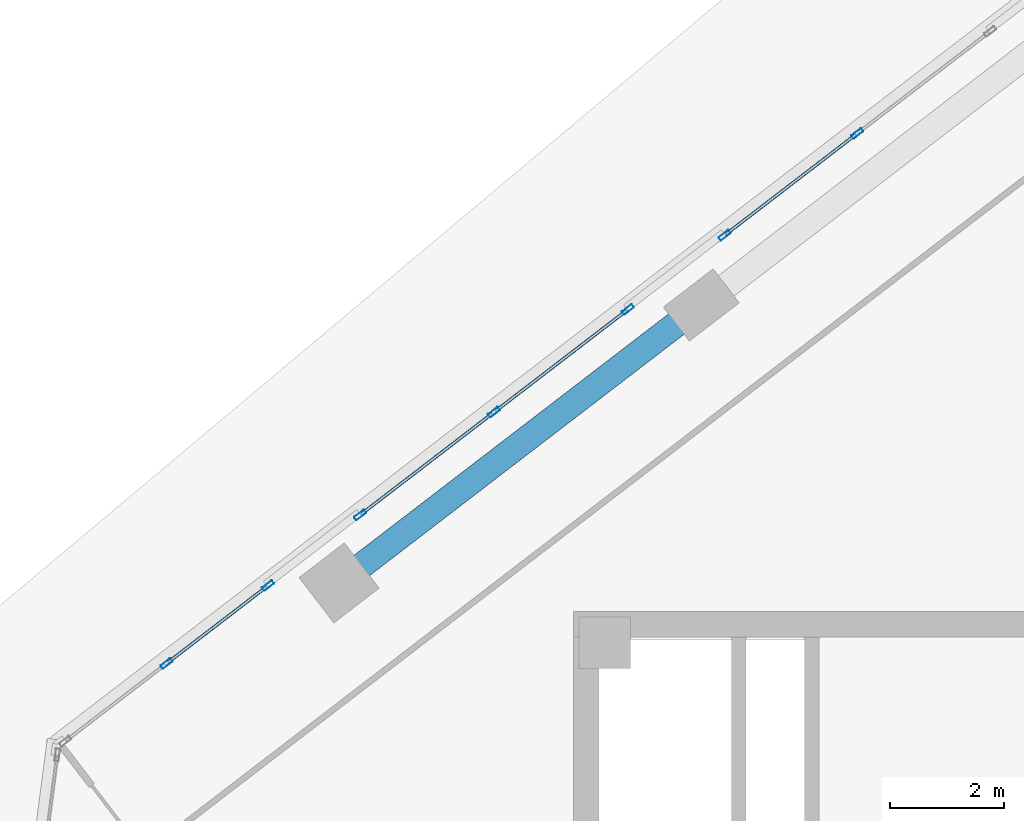
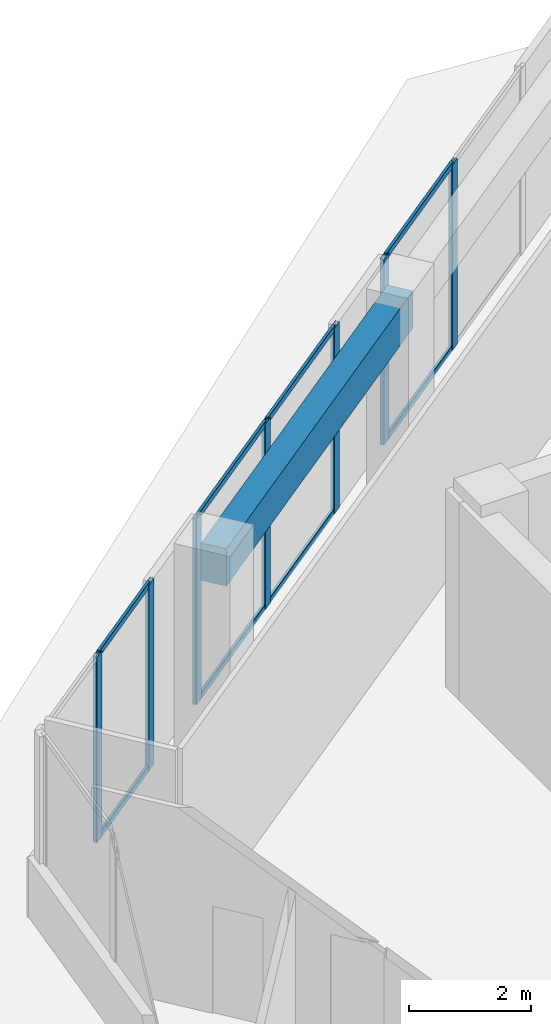
# One storey, part 8 of 17: 15 members, 1 beam, 3 elements without a shape of their own.
"""IFC4 building model written with IfcOpenShell, lengths in metres."""

from ifc_helpers import new_model, si_unit, direction, frame, origin, origin_2d, place, context, subcontext, project, spatial, rectangle, hollow_rectangle, extrude, source, transform, mapped, material, material_profile, profile_set, type_object, element, aggregate, save


model = new_model("IFC4")

# Units and contexts
model_context = context("Model", 3, precision=1e-05, world=origin(), true_north=direction((0.0, 1.0)))
body_context = subcontext(model_context, "Body", "Model", "MODEL_VIEW")
ifc_project = project(units=[si_unit("LENGTHUNIT", "METRE"), si_unit("AREAUNIT", "SQUARE_METRE"), si_unit("VOLUMEUNIT", "CUBIC_METRE"), si_unit("PLANEANGLEUNIT", "RADIAN"), si_unit("MASSUNIT", "GRAM", prefix="KILO")], contexts=[model_context])

# Site, building, storey
site_placement = place(None, origin())
site = spatial("IfcSite", under=ifc_project, at=site_placement, CompositionType="ELEMENT")
building_placement = place(site_placement, origin())
building = spatial("IfcBuilding", under=site, at=building_placement, Name="Torre Montelarca", CompositionType="ELEMENT")
storey_placement = place(building_placement, frame((0.0, 0.0, 279.39990234375)))
storey = spatial("IfcBuildingStorey", under=building, at=storey_placement, Name="L63", CompositionType="ELEMENT", Elevation=279.39990234375)

# Beam
ifc_material_1 = material(Name="Concrete C55/67", Category="concrete")
ifc_material_profile_1 = material_profile(ifc_material_1, rectangle(XDim=0.449951171875, YDim=0.75, at=origin_2d()), Name="RCB450X750", Category="concrete")
ifc_profile_set_1 = profile_set([ifc_material_profile_1], Name="Concrete C55/67")
beam_type = type_object("IfcBeamType", Name="BM-SP-RC750-EXT", PredefinedType="SPANDREL", material=ifc_profile_set_1)
shared_shape_1 = source(origin(), body_context, "Body", "SweptSolid", [
    extrude(rectangle(XDim=0.449951171875, YDim=0.75, at=origin_2d()), origin(), (0.0, 0.0, 1.0), 8.0),
])
beam_placement = place(storey_placement, frame((4.8955078125, 40.497802734375, 3.585205078125), z_axis=(0.793356283694, 0.608757593073, 0.0), x_axis=(-0.608757593073, 0.793356283694, 0.0)))
element("IfcBeam", 1, at=beam_placement, inside=storey, type_object=beam_type, Name="L63 Grid Girder Y 24.0-32.0 at X=4.7", PredefinedType="SPANDREL", context=body_context, shape_type="MappedRepresentation", body=[
    mapped(shared_shape_1, transform((0.0, 0.0, 0.0), scale=1.0)),
])

# Curtain wall, members
ifc_material_2 = material(Name="Insulated low-E laminated glass", Category="glass")
curtain_wall_type = type_object("IfcCurtainWallType", Name="CW-SYS-Z3", PredefinedType="USERDEFINED", material=ifc_material_2)
curtain_wall_1_placement = place(storey_placement, origin())
curtain_wall_1 = element("IfcCurtainWall", 2, at=curtain_wall_1_placement, inside=storey, type_object=curtain_wall_type, Name="L63 Curtain Wall Run CW-T3-L63-E10-B1", ObjectType="UNITISED GLAZING", PredefinedType="USERDEFINED")
ifc_material_3 = material(Name="Anodised aluminium AA 6063-T6", Category="aluminium")
ifc_material_profile_2 = material_profile(ifc_material_3, hollow_rectangle(XDim=0.054931640625, YDim=0.1201171875, WallThickness=0.00341796875, InnerFilletRadius=0.00341796875, OuterFilletRadius=0.007080078125, at=origin_2d()), Name="ALU55X120X3.5", Category="aluminium")
ifc_profile_set_2 = profile_set([ifc_material_profile_2], Name="Anodised aluminium AA 6063-T6")
member_type_1 = type_object("IfcMemberType", Name="CWT-ALU120", PredefinedType="USERDEFINED", material=ifc_profile_set_2)
shared_shape_2 = source(origin(), body_context, "Body", "SweptSolid", [
    extrude(hollow_rectangle(XDim=0.054931640625, YDim=0.1201171875, WallThickness=0.00341796875, InnerFilletRadius=0.00341796875, OuterFilletRadius=0.007080078125, at=origin_2d()), origin(), (0.0, 0.0, 1.0), 2.857666015625),
])
member_1_placement = place(storey_placement, frame((13.94775390625, 48.351318359375, 0.027587890625), z_axis=(-0.793369779608, -0.608740004276, 0.0), x_axis=(0.608740004276, -0.793369779608, 0.0)))
member_1 = element("IfcMember", 3, at=member_1_placement, type_object=member_type_1, Name="CW transom 2.1", ObjectType="TRANSOM", PredefinedType="USERDEFINED", context=body_context, shape_type="MappedRepresentation", body=[
    mapped(shared_shape_2, transform((0.0, 0.0, 0.0), scale=1.0)),
])
member_2_placement = place(storey_placement, frame((13.94775390625, 48.351318359375, 3.692626953125), z_axis=(-0.793369779608, -0.608740004276, 0.0), x_axis=(0.608740004276, -0.793369779608, 0.0)))
member_2 = element("IfcMember", 4, at=member_2_placement, type_object=member_type_1, Name="CW transom 2.2", ObjectType="TRANSOM", PredefinedType="USERDEFINED", context=body_context, shape_type="MappedRepresentation", body=[
    mapped(shared_shape_2, transform((0.0, 0.0, 0.0), scale=1.0)),
])
ifc_material_profile_3 = material_profile(ifc_material_3, hollow_rectangle(XDim=0.074951171875, YDim=0.219970703125, WallThickness=0.0048828125, InnerFilletRadius=0.0048828125, OuterFilletRadius=0.010009765625, at=origin_2d()), Name="ALU75X220X5", Category="aluminium")
ifc_profile_set_3 = profile_set([ifc_material_profile_3], Name="Anodised aluminium AA 6063-T6")
member_type_2 = type_object("IfcMemberType", Name="CWM-ALU220", PredefinedType="MULLION", material=ifc_profile_set_3)
shared_shape_3 = source(origin(), body_context, "Body", "SweptSolid", [
    extrude(hollow_rectangle(XDim=0.074951171875, YDim=0.219970703125, WallThickness=0.0048828125, InnerFilletRadius=0.0048828125, OuterFilletRadius=0.010009765625, at=origin_2d()), origin(), (0.0, 0.0, 1.0), 3.72021484375),
])
member_3_placement = place(storey_placement, frame((13.9775390625, 48.374267578125, 0.0), z_axis=(0.0, 0.0, 1.0), x_axis=(0.608769012502, -0.793347521215, 0.0)))
member_3 = element("IfcMember", 5, at=member_3_placement, type_object=member_type_2, Name="CW mullion 2", PredefinedType="MULLION", context=body_context, shape_type="MappedRepresentation", body=[
    mapped(shared_shape_3, transform((0.0, 0.0, 0.0), scale=1.0)),
])
member_4_placement = place(storey_placement, frame((11.65087890625, 46.589111328125, 0.0), z_axis=(0.0, 0.0, 1.0), x_axis=(0.608769012502, -0.793347521215, 0.0)))
member_4 = element("IfcMember", 6, at=member_4_placement, type_object=member_type_2, Name="CW mullion 3", PredefinedType="MULLION", context=body_context, shape_type="MappedRepresentation", body=[
    mapped(shared_shape_3, transform((0.0, 0.0, 0.0), scale=1.0)),
])
aggregate(curtain_wall_1, [member_3, member_4, member_1, member_2])

curtain_wall_2_placement = place(storey_placement, origin())
curtain_wall_2 = element("IfcCurtainWall", 7, at=curtain_wall_2_placement, inside=storey, type_object=curtain_wall_type, Name="L63 Curtain Wall Run CW-T3-L63-E10-B2", ObjectType="UNITISED GLAZING", PredefinedType="USERDEFINED")
member_5_placement = place(storey_placement, frame((9.95703125, 45.289306640625, 0.0), z_axis=(0.0, 0.0, 1.0), x_axis=(0.60877284934, -0.793344577032, 0.0)))
member_5 = element("IfcMember", 8, at=member_5_placement, type_object=member_type_2, Name="CW mullion 1", PredefinedType="MULLION", context=body_context, shape_type="MappedRepresentation", body=[
    mapped(shared_shape_3, transform((0.0, 0.0, 0.0), scale=1.0)),
])
member_6_placement = place(storey_placement, frame((7.61083984375, 43.489013671875, 0.0), z_axis=(0.0, 0.0, 1.0), x_axis=(0.60877284934, -0.793344577032, 0.0)))
member_6 = element("IfcMember", 9, at=member_6_placement, type_object=member_type_2, Name="CW mullion 2", PredefinedType="MULLION", context=body_context, shape_type="MappedRepresentation", body=[
    mapped(shared_shape_3, transform((0.0, 0.0, 0.0), scale=1.0)),
])
member_7_placement = place(storey_placement, frame((5.264404296875, 41.6884765625, 0.0), z_axis=(0.0, 0.0, 1.0), x_axis=(0.60877284934, -0.793344577032, 0.0)))
member_7 = element("IfcMember", 10, at=member_7_placement, type_object=member_type_2, Name="CW mullion 3", PredefinedType="MULLION", context=body_context, shape_type="MappedRepresentation", body=[
    mapped(shared_shape_3, transform((0.0, 0.0, 0.0), scale=1.0)),
])

curtain_wall_3_placement = place(storey_placement, origin())
curtain_wall_3 = element("IfcCurtainWall", 11, at=curtain_wall_3_placement, inside=storey, type_object=curtain_wall_type, Name="L63 Curtain Wall Run CW-T3-L63-E10-B3", ObjectType="UNITISED GLAZING", PredefinedType="USERDEFINED")
member_8_placement = place(storey_placement, frame((3.650146484375, 40.44970703125, 0.0), z_axis=(0.0, 0.0, 1.0), x_axis=(0.608757401695, -0.793356430541, 0.0)))
member_8 = element("IfcMember", 12, at=member_8_placement, type_object=member_type_2, Name="CW mullion 1", PredefinedType="MULLION", context=body_context, shape_type="MappedRepresentation", body=[
    mapped(shared_shape_3, transform((0.0, 0.0, 0.0), scale=1.0)),
])
member_9_placement = place(storey_placement, frame((1.873291015625, 39.086181640625, 0.0), z_axis=(0.0, 0.0, 1.0), x_axis=(0.608757401695, -0.793356430541, 0.0)))
member_9 = element("IfcMember", 13, at=member_9_placement, type_object=member_type_2, Name="CW mullion 2", PredefinedType="MULLION", context=body_context, shape_type="MappedRepresentation", body=[
    mapped(shared_shape_3, transform((0.0, 0.0, 0.0), scale=1.0)),
])

# Member
shared_shape_4 = source(origin(), body_context, "Body", "SweptSolid", [
    extrude(hollow_rectangle(XDim=0.054931640625, YDim=0.1201171875, WallThickness=0.00341796875, InnerFilletRadius=0.00341796875, OuterFilletRadius=0.007080078125, at=origin_2d()), origin(), (0.0, 0.0, 1.0), 2.882568359375),
])
member_10_placement = place(storey_placement, frame((9.927490234375, 45.2666015625, 0.027587890625), z_axis=(-0.793335010529, -0.608785316076, 0.0), x_axis=(0.608785316076, -0.793335010529, 0.0)))
member_10 = element("IfcMember", 14, at=member_10_placement, type_object=member_type_1, Name="CW transom 1.1", ObjectType="TRANSOM", PredefinedType="USERDEFINED", context=body_context, shape_type="MappedRepresentation", body=[
    mapped(shared_shape_4, transform((0.0, 0.0, 0.0), scale=1.0)),
])

member_11_placement = place(storey_placement, frame((9.927490234375, 45.2666015625, 3.692626953125), z_axis=(-0.793335010529, -0.608785316076, 0.0), x_axis=(0.608785316076, -0.793335010529, 0.0)))
member_11 = element("IfcMember", 15, at=member_11_placement, type_object=member_type_1, Name="CW transom 1.2", ObjectType="TRANSOM", PredefinedType="USERDEFINED", context=body_context, shape_type="MappedRepresentation", body=[
    mapped(shared_shape_4, transform((0.0, 0.0, 0.0), scale=1.0)),
])

member_12_placement = place(storey_placement, frame((7.5810546875, 43.466064453125, 0.027587890625), z_axis=(-0.793335010529, -0.608785316076, 0.0), x_axis=(0.608785316076, -0.793335010529, 0.0)))
member_12 = element("IfcMember", 16, at=member_12_placement, type_object=member_type_1, Name="CW transom 2.1", ObjectType="TRANSOM", PredefinedType="USERDEFINED", context=body_context, shape_type="MappedRepresentation", body=[
    mapped(shared_shape_4, transform((0.0, 0.0, 0.0), scale=1.0)),
])

member_13_placement = place(storey_placement, frame((7.5810546875, 43.466064453125, 3.692626953125), z_axis=(-0.793335010529, -0.608785316076, 0.0), x_axis=(0.608785316076, -0.793335010529, 0.0)))
member_13 = element("IfcMember", 17, at=member_13_placement, type_object=member_type_1, Name="CW transom 2.2", ObjectType="TRANSOM", PredefinedType="USERDEFINED", context=body_context, shape_type="MappedRepresentation", body=[
    mapped(shared_shape_4, transform((0.0, 0.0, 0.0), scale=1.0)),
])

aggregate(curtain_wall_2, [member_5, member_6, member_7, member_10, member_11, member_12, member_13])

shared_shape_5 = source(origin(), body_context, "Body", "SweptSolid", [
    extrude(hollow_rectangle(XDim=0.054931640625, YDim=0.1201171875, WallThickness=0.00341796875, InnerFilletRadius=0.00341796875, OuterFilletRadius=0.007080078125, at=origin_2d()), origin(), (0.0, 0.0, 1.0), 2.16455078125),
])
member_14_placement = place(storey_placement, frame((3.620361328125, 40.4267578125, 0.027587890625), z_axis=(-0.793373932835, -0.608734591343, 0.0), x_axis=(0.608734591343, -0.793373932835, 0.0)))
member_14 = element("IfcMember", 18, at=member_14_placement, type_object=member_type_1, Name="CW transom 1.1", ObjectType="TRANSOM", PredefinedType="USERDEFINED", context=body_context, shape_type="MappedRepresentation", body=[
    mapped(shared_shape_5, transform((0.0, 0.0, 0.0), scale=1.0)),
])

member_15_placement = place(storey_placement, frame((3.620361328125, 40.4267578125, 3.692626953125), z_axis=(-0.793373932835, -0.608734591343, 0.0), x_axis=(0.608734591343, -0.793373932835, 0.0)))
member_15 = element("IfcMember", 19, at=member_15_placement, type_object=member_type_1, Name="CW transom 1.2", ObjectType="TRANSOM", PredefinedType="USERDEFINED", context=body_context, shape_type="MappedRepresentation", body=[
    mapped(shared_shape_5, transform((0.0, 0.0, 0.0), scale=1.0)),
])

aggregate(curtain_wall_3, [member_8, member_9, member_14, member_15])

save(model, "model.ifc")
